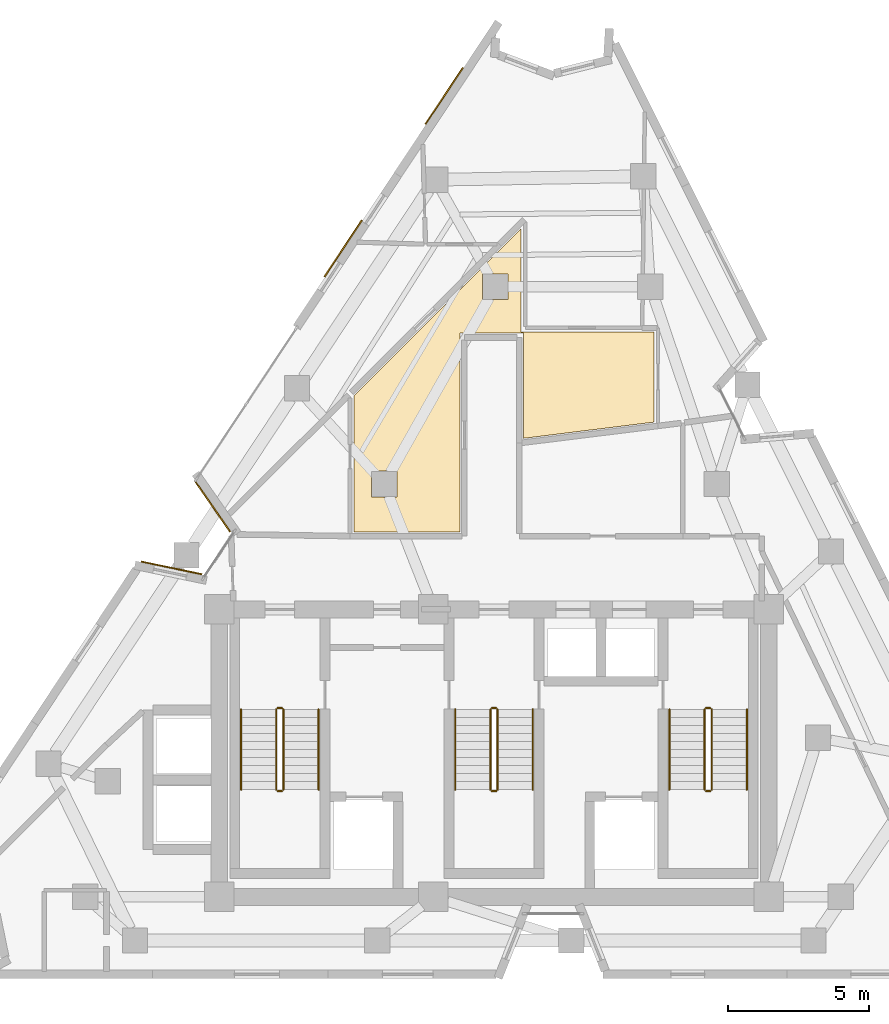
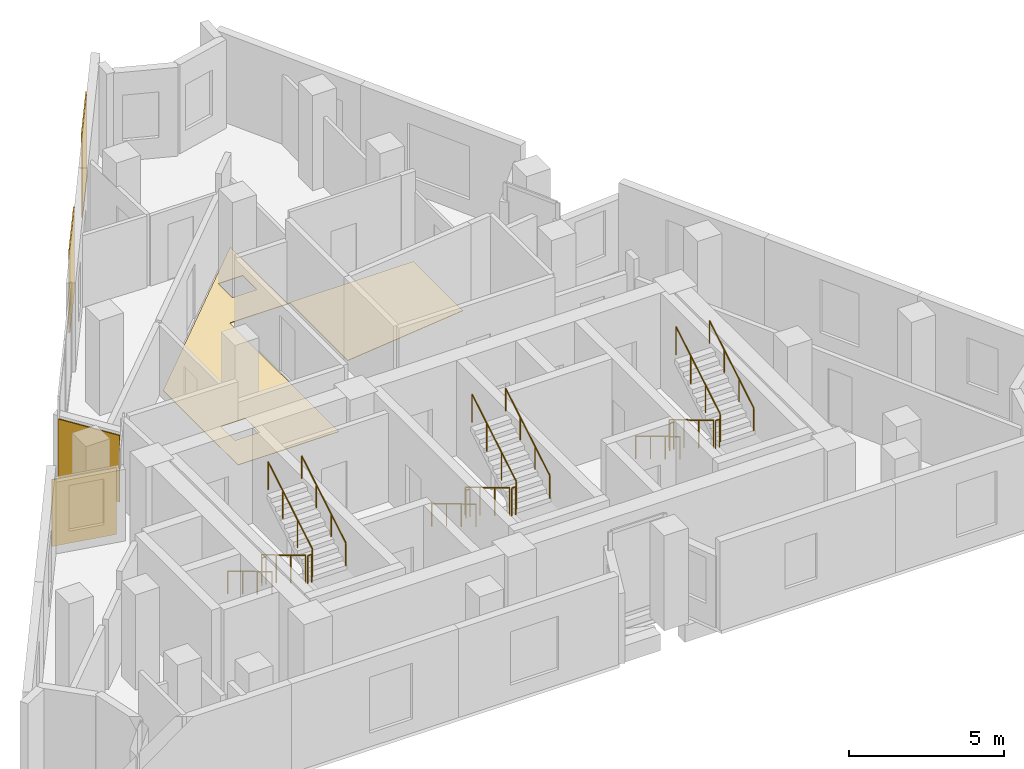
# One storey, part 8 of 8: 18 railings, 5 coverings.
"""IFC4 building model written with IfcOpenShell, lengths in metres."""

from ifc_helpers import new_model, si_unit, direction, frame, origin, origin_2d, place, context, subcontext, project, spatial, polyline, rectangle, circle, outline, extrude, material, layer, layer_set, type_object, element, save


model = new_model("IFC4")

# Units and contexts
model_context = context("Model", 3, precision=1e-05, world=origin(), true_north=direction((0.0, 1.0)))
body_context = subcontext(model_context, "Body", "Model", "MODEL_VIEW")
ifc_project = project(units=[si_unit("LENGTHUNIT", "METRE"), si_unit("AREAUNIT", "SQUARE_METRE"), si_unit("VOLUMEUNIT", "CUBIC_METRE"), si_unit("PLANEANGLEUNIT", "RADIAN"), si_unit("MASSUNIT", "GRAM", prefix="KILO")], contexts=[model_context])

# Site, building, storey
site_placement = place(None, origin())
site = spatial("IfcSite", under=ifc_project, at=site_placement, CompositionType="ELEMENT")
building_placement = place(site_placement, origin())
building = spatial("IfcBuilding", under=site, at=building_placement, Name="Almagre Mirador Tower", CompositionType="ELEMENT")
storey_placement = place(building_placement, frame((0.0, 0.0, 263.25)))
storey = spatial("IfcBuildingStorey", under=building, at=storey_placement, Name="L68", CompositionType="ELEMENT", Elevation=263.25)

# Coverings
ifc_material_1 = material(Name="Almagre terracotta architectural cladding", Category="masonry")
ifc_layer_1 = layer(ifc_material_1, 0.044921875)
ifc_layer_set_1 = layer_set([ifc_layer_1], Name="Almagre terracotta architectural cladding")
covering_type_1 = type_object("IfcCoveringType", Name="COV-CLAD-ALMAGRE", PredefinedType="CLADDING", material=ifc_layer_set_1)
for number, where, z_axis, x_axis, name in (
    (1, (25.86181640625, 16.220703125, 0.10009765625), (0.0, 0.0, 1.0), (0.978792371297, -0.204854811734, 0.0), "L68 almagre terracotta pier cladding"),
    (2, (27.310791015625, 18.409423828125, 0.10009765625), (0.0, 0.0, 1.0), (-0.570856876565, 0.821049588319, 0.0), "L68 almagre terracotta pier cladding"),
):
    element("IfcCovering", number, at=place(storey_placement, frame(where, z_axis=z_axis, x_axis=x_axis)), inside=storey, type_object=covering_type_1, Name=name, PredefinedType="CLADDING", context=body_context, shape_type="SweptSolid", body=[
        extrude(rectangle(XDim=2.194091796875, YDim=0.044921875, at=origin_2d()), origin(), (0.0, 0.0, 1.0), 2.625),
    ])
for number, where, z_axis, x_axis, name in (
    (3, (31.9482421875, 27.556640625, 0.10009765625), (0.0, 0.0, 1.0), (0.552126173795, 0.833760570074, 0.0), "L68 almagre terracotta pier cladding"),
    (4, (35.532958984375, 32.97021484375, 0.10009765625), (0.0, 0.0, 1.0), (0.552126173795, 0.833760570074, 0.0), "L68 almagre terracotta pier cladding"),
):
    element("IfcCovering", number, at=place(storey_placement, frame(where, z_axis=z_axis, x_axis=x_axis)), inside=storey, type_object=covering_type_1, Name=name, PredefinedType="CLADDING", context=body_context, shape_type="SweptSolid", body=[
        extrude(rectangle(XDim=2.39990234375, YDim=0.044921875, at=origin_2d()), origin(), (0.0, 0.0, 1.0), 3.300048828125),
    ])
ifc_material_2 = material(Name="Engineered white oak flooring", Category="wood")
ifc_layer_2 = layer(ifc_material_2, 0.01806640625)
ifc_layer_set_2 = layer_set([ifc_layer_2], Name="Engineered white oak flooring")
covering_type_2 = type_object("IfcCoveringType", Name="COV-FLR-OAK-18", PredefinedType="FLOORING", material=ifc_layer_set_2)
covering_placement = place(storey_placement, origin())
element("IfcCovering", 5, at=covering_placement, inside=storey, type_object=covering_type_2, Name="L68 Unit L68-G Living and Dining Room finish flooring", PredefinedType="FLOORING", context=body_context, shape_type="SweptSolid", body=[
    extrude(outline(polyline([(32.340087890625, 17.5), (32.340087890625, 22.337890625), (38.260009765625, 28.258056640625), (38.260009765625, 24.590087890625), (42.969970703125, 24.590087890625), (42.969970703125, 21.39306640625), (38.35009765625, 20.820068359375), (38.35009765625, 24.550048828125), (36.10009765625, 24.550048828125), (36.10009765625, 17.5), (32.340087890625, 17.5)]), holes=[polyline([(32.945068359375, 18.7451171875), (32.945068359375, 19.655029296875), (33.85498046875, 19.655029296875), (33.85498046875, 18.7451171875), (32.945068359375, 18.7451171875)]), polyline([(36.89501953125, 25.7451171875), (36.89501953125, 26.655029296875), (37.804931640625, 26.655029296875), (37.804931640625, 25.7451171875), (36.89501953125, 25.7451171875)])]), origin(), (0.0, 0.0, 1.0), 0.01806640625),
])

# Railings
ifc_material_3 = material(Name="Painted galvanized steel", Category="steel")
railing_type_1 = type_object("IfcRailingType", Name="RLG-GRD-1100", PredefinedType="GUARDRAIL", material=ifc_material_3)
railing_1_placement = place(storey_placement, frame((29.574951171875, 11.199951171875, 0.17041015625)))
element("IfcRailing", 6, at=railing_1_placement, inside=storey, type_object=railing_type_1, Name="L68 ST-1 stair guard 1", PredefinedType="GUARDRAIL", context=body_context, shape_type="SweptSolid", body=[
    extrude(circle(Radius=0.02392578125, at=origin_2d()), frame((0.0, 0.0, 1.09619140625), z_axis=(0.0, -0.858199205511, 0.513316786848), x_axis=(1.0, 0.0, 0.0)), (0.0, 0.0, 1.0), 3.32080078125),
    extrude(circle(Radius=0.02099609375, at=origin_2d()), origin(), (0.0, 0.0, 1.0), 1.072021484375),
    extrude(circle(Radius=0.02099609375, at=origin_2d()), frame((0.0, -0.949951171875, 0.568115234375)), (0.0, 0.0, 1.0), 1.072021484375),
    extrude(circle(Radius=0.02099609375, at=origin_2d()), frame((0.0, -1.89990234375, 1.136474609375)), (0.0, 0.0, 1.0), 1.072021484375),
    extrude(circle(Radius=0.02099609375, at=origin_2d()), frame((0.0, -2.849853515625, 1.70458984375)), (0.0, 0.0, 1.0), 1.072021484375),
])
railing_2_placement = place(storey_placement, frame((29.625, 8.300048828125, 1.875)))
element("IfcRailing", 7, at=railing_2_placement, inside=storey, type_object=railing_type_1, Name="L68 ST-1 stair guard 2", PredefinedType="GUARDRAIL", context=body_context, shape_type="SweptSolid", body=[
    extrude(circle(Radius=0.02392578125, at=origin_2d()), frame((0.0, 0.0, 1.09619140625), z_axis=(1.0, 0.0, 0.0), x_axis=(0.0, 1.0, 0.0)), (0.0, 0.0, 1.0), 0.14990234375),
    extrude(circle(Radius=0.02099609375, at=origin_2d()), origin(), (0.0, 0.0, 1.0), 1.072021484375),
    extrude(circle(Radius=0.02099609375, at=origin_2d()), frame((0.14990234375, 0.0, 0.0)), (0.0, 0.0, 1.0), 1.072021484375),
])
railing_3_placement = place(storey_placement, frame((29.824951171875, 8.35009765625, 2.04541015625)))
element("IfcRailing", 8, at=railing_3_placement, inside=storey, type_object=railing_type_1, Name="L68 ST-1 stair guard 3", PredefinedType="GUARDRAIL", context=body_context, shape_type="SweptSolid", body=[
    extrude(circle(Radius=0.02392578125, at=origin_2d()), frame((0.0, 0.0, 1.09619140625), z_axis=(0.0, 0.858199205511, 0.513316786848), x_axis=(-1.0, 0.0, 0.0)), (0.0, 0.0, 1.0), 3.32080078125),
    extrude(circle(Radius=0.02099609375, at=origin_2d()), origin(), (0.0, 0.0, 1.0), 1.072021484375),
    extrude(circle(Radius=0.02099609375, at=origin_2d()), frame((0.0, 0.949951171875, 0.568115234375)), (0.0, 0.0, 1.0), 1.072021484375),
    extrude(circle(Radius=0.02099609375, at=origin_2d()), frame((0.0, 1.89990234375, 1.136474609375)), (0.0, 0.0, 1.0), 1.072021484375),
    extrude(circle(Radius=0.02099609375, at=origin_2d()), frame((0.0, 2.849853515625, 1.70458984375)), (0.0, 0.0, 1.0), 1.072021484375),
])
railing_4_placement = place(storey_placement, frame((29.625, 11.25, 0.0)))
element("IfcRailing", 9, at=railing_4_placement, inside=storey, type_object=railing_type_1, Name="L68 ST-1 stair guard 4", PredefinedType="GUARDRAIL", context=body_context, shape_type="SweptSolid", body=[
    extrude(circle(Radius=0.02392578125, at=origin_2d()), frame((0.0, 0.0, 1.09619140625), z_axis=(1.0, 0.0, 0.0), x_axis=(0.0, 1.0, 0.0)), (0.0, 0.0, 1.0), 0.14990234375),
    extrude(circle(Radius=0.02099609375, at=origin_2d()), origin(), (0.0, 0.0, 1.0), 1.072021484375),
    extrude(circle(Radius=0.02099609375, at=origin_2d()), frame((0.14990234375, 0.0, 0.0)), (0.0, 0.0, 1.0), 1.072021484375),
])
railing_5_placement = place(storey_placement, frame((37.175048828125, 11.199951171875, 0.17041015625)))
element("IfcRailing", 10, at=railing_5_placement, inside=storey, type_object=railing_type_1, Name="L68 ST-2 stair guard 1", PredefinedType="GUARDRAIL", context=body_context, shape_type="SweptSolid", body=[
    extrude(circle(Radius=0.02392578125, at=origin_2d()), frame((0.0, 0.0, 1.09619140625), z_axis=(0.0, -0.858199205511, 0.513316786848), x_axis=(1.0, 0.0, 0.0)), (0.0, 0.0, 1.0), 3.32080078125),
    extrude(circle(Radius=0.02099609375, at=origin_2d()), origin(), (0.0, 0.0, 1.0), 1.072021484375),
    extrude(circle(Radius=0.02099609375, at=origin_2d()), frame((0.0, -0.949951171875, 0.568115234375)), (0.0, 0.0, 1.0), 1.072021484375),
    extrude(circle(Radius=0.02099609375, at=origin_2d()), frame((0.0, -1.89990234375, 1.136474609375)), (0.0, 0.0, 1.0), 1.072021484375),
    extrude(circle(Radius=0.02099609375, at=origin_2d()), frame((0.0, -2.849853515625, 1.70458984375)), (0.0, 0.0, 1.0), 1.072021484375),
])
railing_6_placement = place(storey_placement, frame((37.22509765625, 8.300048828125, 1.875)))
element("IfcRailing", 11, at=railing_6_placement, inside=storey, type_object=railing_type_1, Name="L68 ST-2 stair guard 2", PredefinedType="GUARDRAIL", context=body_context, shape_type="SweptSolid", body=[
    extrude(circle(Radius=0.02392578125, at=origin_2d()), frame((0.0, 0.0, 1.09619140625), z_axis=(1.0, 0.0, 0.0), x_axis=(0.0, 1.0, 0.0)), (0.0, 0.0, 1.0), 0.14990234375),
    extrude(circle(Radius=0.02099609375, at=origin_2d()), origin(), (0.0, 0.0, 1.0), 1.072021484375),
    extrude(circle(Radius=0.02099609375, at=origin_2d()), frame((0.14990234375, 0.0, 0.0)), (0.0, 0.0, 1.0), 1.072021484375),
])
railing_7_placement = place(storey_placement, frame((37.425048828125, 8.35009765625, 2.04541015625)))
element("IfcRailing", 12, at=railing_7_placement, inside=storey, type_object=railing_type_1, Name="L68 ST-2 stair guard 3", PredefinedType="GUARDRAIL", context=body_context, shape_type="SweptSolid", body=[
    extrude(circle(Radius=0.02392578125, at=origin_2d()), frame((0.0, 0.0, 1.09619140625), z_axis=(0.0, 0.858199205511, 0.513316786848), x_axis=(-1.0, 0.0, 0.0)), (0.0, 0.0, 1.0), 3.32080078125),
    extrude(circle(Radius=0.02099609375, at=origin_2d()), origin(), (0.0, 0.0, 1.0), 1.072021484375),
    extrude(circle(Radius=0.02099609375, at=origin_2d()), frame((0.0, 0.949951171875, 0.568115234375)), (0.0, 0.0, 1.0), 1.072021484375),
    extrude(circle(Radius=0.02099609375, at=origin_2d()), frame((0.0, 1.89990234375, 1.136474609375)), (0.0, 0.0, 1.0), 1.072021484375),
    extrude(circle(Radius=0.02099609375, at=origin_2d()), frame((0.0, 2.849853515625, 1.70458984375)), (0.0, 0.0, 1.0), 1.072021484375),
])
railing_8_placement = place(storey_placement, frame((37.22509765625, 11.25, 0.0)))
element("IfcRailing", 13, at=railing_8_placement, inside=storey, type_object=railing_type_1, Name="L68 ST-2 stair guard 4", PredefinedType="GUARDRAIL", context=body_context, shape_type="SweptSolid", body=[
    extrude(circle(Radius=0.02392578125, at=origin_2d()), frame((0.0, 0.0, 1.09619140625), z_axis=(1.0, 0.0, 0.0), x_axis=(0.0, 1.0, 0.0)), (0.0, 0.0, 1.0), 0.14990234375),
    extrude(circle(Radius=0.02099609375, at=origin_2d()), origin(), (0.0, 0.0, 1.0), 1.072021484375),
    extrude(circle(Radius=0.02099609375, at=origin_2d()), frame((0.14990234375, 0.0, 0.0)), (0.0, 0.0, 1.0), 1.072021484375),
])
railing_9_placement = place(storey_placement, frame((44.77490234375, 11.199951171875, 0.17041015625)))
element("IfcRailing", 14, at=railing_9_placement, inside=storey, type_object=railing_type_1, Name="L68 ST-3 stair guard 1", PredefinedType="GUARDRAIL", context=body_context, shape_type="SweptSolid", body=[
    extrude(circle(Radius=0.02392578125, at=origin_2d()), frame((0.0, 0.0, 1.09619140625), z_axis=(0.0, -0.858199205511, 0.513316786848), x_axis=(1.0, 0.0, 0.0)), (0.0, 0.0, 1.0), 3.32080078125),
    extrude(circle(Radius=0.02099609375, at=origin_2d()), origin(), (0.0, 0.0, 1.0), 1.072021484375),
    extrude(circle(Radius=0.02099609375, at=origin_2d()), frame((0.0, -0.949951171875, 0.568115234375)), (0.0, 0.0, 1.0), 1.072021484375),
    extrude(circle(Radius=0.02099609375, at=origin_2d()), frame((0.0, -1.89990234375, 1.136474609375)), (0.0, 0.0, 1.0), 1.072021484375),
    extrude(circle(Radius=0.02099609375, at=origin_2d()), frame((0.0, -2.849853515625, 1.70458984375)), (0.0, 0.0, 1.0), 1.072021484375),
])
railing_10_placement = place(storey_placement, frame((44.824951171875, 8.300048828125, 1.875)))
element("IfcRailing", 15, at=railing_10_placement, inside=storey, type_object=railing_type_1, Name="L68 ST-3 stair guard 2", PredefinedType="GUARDRAIL", context=body_context, shape_type="SweptSolid", body=[
    extrude(circle(Radius=0.02392578125, at=origin_2d()), frame((0.0, 0.0, 1.09619140625), z_axis=(1.0, 0.0, 0.0), x_axis=(0.0, 1.0, 0.0)), (0.0, 0.0, 1.0), 0.150146484375),
    extrude(circle(Radius=0.02099609375, at=origin_2d()), origin(), (0.0, 0.0, 1.0), 1.072021484375),
    extrude(circle(Radius=0.02099609375, at=origin_2d()), frame((0.150146484375, 0.0, 0.0)), (0.0, 0.0, 1.0), 1.072021484375),
])
railing_11_placement = place(storey_placement, frame((45.02490234375, 8.35009765625, 2.04541015625)))
element("IfcRailing", 16, at=railing_11_placement, inside=storey, type_object=railing_type_1, Name="L68 ST-3 stair guard 3", PredefinedType="GUARDRAIL", context=body_context, shape_type="SweptSolid", body=[
    extrude(circle(Radius=0.02392578125, at=origin_2d()), frame((0.0, 0.0, 1.09619140625), z_axis=(0.0, 0.858199205511, 0.513316786848), x_axis=(-1.0, 0.0, 0.0)), (0.0, 0.0, 1.0), 3.32080078125),
    extrude(circle(Radius=0.02099609375, at=origin_2d()), origin(), (0.0, 0.0, 1.0), 1.072021484375),
    extrude(circle(Radius=0.02099609375, at=origin_2d()), frame((0.0, 0.949951171875, 0.568115234375)), (0.0, 0.0, 1.0), 1.072021484375),
    extrude(circle(Radius=0.02099609375, at=origin_2d()), frame((0.0, 1.89990234375, 1.136474609375)), (0.0, 0.0, 1.0), 1.072021484375),
    extrude(circle(Radius=0.02099609375, at=origin_2d()), frame((0.0, 2.849853515625, 1.70458984375)), (0.0, 0.0, 1.0), 1.072021484375),
])
railing_12_placement = place(storey_placement, frame((44.824951171875, 11.25, 0.0)))
element("IfcRailing", 17, at=railing_12_placement, inside=storey, type_object=railing_type_1, Name="L68 ST-3 stair guard 4", PredefinedType="GUARDRAIL", context=body_context, shape_type="SweptSolid", body=[
    extrude(circle(Radius=0.02392578125, at=origin_2d()), frame((0.0, 0.0, 1.09619140625), z_axis=(1.0, 0.0, 0.0), x_axis=(0.0, 1.0, 0.0)), (0.0, 0.0, 1.0), 0.150146484375),
    extrude(circle(Radius=0.02099609375, at=origin_2d()), origin(), (0.0, 0.0, 1.0), 1.072021484375),
    extrude(circle(Radius=0.02099609375, at=origin_2d()), frame((0.150146484375, 0.0, 0.0)), (0.0, 0.0, 1.0), 1.072021484375),
])
ifc_material_4 = material(Name="Brushed stainless steel", Category="steel")
railing_type_2 = type_object("IfcRailingType", Name="RLG-HND-915", PredefinedType="HANDRAIL", material=ifc_material_4)
railing_13_placement = place(storey_placement, frame((28.324951171875, 11.199951171875, 0.17041015625)))
element("IfcRailing", 18, at=railing_13_placement, inside=storey, type_object=railing_type_2, Name="L68 ST-1 stair handrail 1", PredefinedType="HANDRAIL", context=body_context, shape_type="SweptSolid", body=[
    extrude(circle(Radius=0.02392578125, at=origin_2d()), frame((0.0, 0.0, 0.89111328125), z_axis=(0.0, -0.858199205511, 0.513316786848), x_axis=(1.0, 0.0, 0.0)), (0.0, 0.0, 1.0), 3.32080078125),
    extrude(circle(Radius=0.02099609375, at=origin_2d()), origin(), (0.0, 0.0, 1.0), 0.866943359375),
    extrude(circle(Radius=0.02099609375, at=origin_2d()), frame((0.0, -0.949951171875, 0.568115234375)), (0.0, 0.0, 1.0), 0.866943359375),
    extrude(circle(Radius=0.02099609375, at=origin_2d()), frame((0.0, -1.89990234375, 1.136474609375)), (0.0, 0.0, 1.0), 0.866943359375),
    extrude(circle(Radius=0.02099609375, at=origin_2d()), frame((0.0, -2.849853515625, 1.70458984375)), (0.0, 0.0, 1.0), 0.866943359375),
])
railing_14_placement = place(storey_placement, frame((31.074951171875, 8.35009765625, 2.04541015625)))
element("IfcRailing", 19, at=railing_14_placement, inside=storey, type_object=railing_type_2, Name="L68 ST-1 stair handrail 2", PredefinedType="HANDRAIL", context=body_context, shape_type="SweptSolid", body=[
    extrude(circle(Radius=0.02392578125, at=origin_2d()), frame((0.0, 0.0, 0.89111328125), z_axis=(0.0, 0.858199205511, 0.513316786848), x_axis=(-1.0, 0.0, 0.0)), (0.0, 0.0, 1.0), 3.32080078125),
    extrude(circle(Radius=0.02099609375, at=origin_2d()), origin(), (0.0, 0.0, 1.0), 0.866943359375),
    extrude(circle(Radius=0.02099609375, at=origin_2d()), frame((0.0, 0.949951171875, 0.568115234375)), (0.0, 0.0, 1.0), 0.866943359375),
    extrude(circle(Radius=0.02099609375, at=origin_2d()), frame((0.0, 1.89990234375, 1.136474609375)), (0.0, 0.0, 1.0), 0.866943359375),
    extrude(circle(Radius=0.02099609375, at=origin_2d()), frame((0.0, 2.849853515625, 1.70458984375)), (0.0, 0.0, 1.0), 0.866943359375),
])
railing_15_placement = place(storey_placement, frame((35.925048828125, 11.199951171875, 0.17041015625)))
element("IfcRailing", 20, at=railing_15_placement, inside=storey, type_object=railing_type_2, Name="L68 ST-2 stair handrail 1", PredefinedType="HANDRAIL", context=body_context, shape_type="SweptSolid", body=[
    extrude(circle(Radius=0.02392578125, at=origin_2d()), frame((0.0, 0.0, 0.89111328125), z_axis=(0.0, -0.858199205511, 0.513316786848), x_axis=(1.0, 0.0, 0.0)), (0.0, 0.0, 1.0), 3.32080078125),
    extrude(circle(Radius=0.02099609375, at=origin_2d()), origin(), (0.0, 0.0, 1.0), 0.866943359375),
    extrude(circle(Radius=0.02099609375, at=origin_2d()), frame((0.0, -0.949951171875, 0.568115234375)), (0.0, 0.0, 1.0), 0.866943359375),
    extrude(circle(Radius=0.02099609375, at=origin_2d()), frame((0.0, -1.89990234375, 1.136474609375)), (0.0, 0.0, 1.0), 0.866943359375),
    extrude(circle(Radius=0.02099609375, at=origin_2d()), frame((0.0, -2.849853515625, 1.70458984375)), (0.0, 0.0, 1.0), 0.866943359375),
])
railing_16_placement = place(storey_placement, frame((38.675048828125, 8.35009765625, 2.04541015625)))
element("IfcRailing", 21, at=railing_16_placement, inside=storey, type_object=railing_type_2, Name="L68 ST-2 stair handrail 2", PredefinedType="HANDRAIL", context=body_context, shape_type="SweptSolid", body=[
    extrude(circle(Radius=0.02392578125, at=origin_2d()), frame((0.0, 0.0, 0.89111328125), z_axis=(0.0, 0.858199205511, 0.513316786848), x_axis=(-1.0, 0.0, 0.0)), (0.0, 0.0, 1.0), 3.32080078125),
    extrude(circle(Radius=0.02099609375, at=origin_2d()), origin(), (0.0, 0.0, 1.0), 0.866943359375),
    extrude(circle(Radius=0.02099609375, at=origin_2d()), frame((0.0, 0.949951171875, 0.568115234375)), (0.0, 0.0, 1.0), 0.866943359375),
    extrude(circle(Radius=0.02099609375, at=origin_2d()), frame((0.0, 1.89990234375, 1.136474609375)), (0.0, 0.0, 1.0), 0.866943359375),
    extrude(circle(Radius=0.02099609375, at=origin_2d()), frame((0.0, 2.849853515625, 1.70458984375)), (0.0, 0.0, 1.0), 0.866943359375),
])
railing_17_placement = place(storey_placement, frame((43.52490234375, 11.199951171875, 0.17041015625)))
element("IfcRailing", 22, at=railing_17_placement, inside=storey, type_object=railing_type_2, Name="L68 ST-3 stair handrail 1", PredefinedType="HANDRAIL", context=body_context, shape_type="SweptSolid", body=[
    extrude(circle(Radius=0.02392578125, at=origin_2d()), frame((0.0, 0.0, 0.89111328125), z_axis=(0.0, -0.858199205511, 0.513316786848), x_axis=(1.0, 0.0, 0.0)), (0.0, 0.0, 1.0), 3.32080078125),
    extrude(circle(Radius=0.02099609375, at=origin_2d()), origin(), (0.0, 0.0, 1.0), 0.866943359375),
    extrude(circle(Radius=0.02099609375, at=origin_2d()), frame((0.0, -0.949951171875, 0.568115234375)), (0.0, 0.0, 1.0), 0.866943359375),
    extrude(circle(Radius=0.02099609375, at=origin_2d()), frame((0.0, -1.89990234375, 1.136474609375)), (0.0, 0.0, 1.0), 0.866943359375),
    extrude(circle(Radius=0.02099609375, at=origin_2d()), frame((0.0, -2.849853515625, 1.70458984375)), (0.0, 0.0, 1.0), 0.866943359375),
])
railing_18_placement = place(storey_placement, frame((46.27490234375, 8.35009765625, 2.04541015625)))
element("IfcRailing", 23, at=railing_18_placement, inside=storey, type_object=railing_type_2, Name="L68 ST-3 stair handrail 2", PredefinedType="HANDRAIL", context=body_context, shape_type="SweptSolid", body=[
    extrude(circle(Radius=0.02392578125, at=origin_2d()), frame((0.0, 0.0, 0.89111328125), z_axis=(0.0, 0.858199205511, 0.513316786848), x_axis=(-1.0, 0.0, 0.0)), (0.0, 0.0, 1.0), 3.32080078125),
    extrude(circle(Radius=0.02099609375, at=origin_2d()), origin(), (0.0, 0.0, 1.0), 0.866943359375),
    extrude(circle(Radius=0.02099609375, at=origin_2d()), frame((0.0, 0.949951171875, 0.568115234375)), (0.0, 0.0, 1.0), 0.866943359375),
    extrude(circle(Radius=0.02099609375, at=origin_2d()), frame((0.0, 1.89990234375, 1.136474609375)), (0.0, 0.0, 1.0), 0.866943359375),
    extrude(circle(Radius=0.02099609375, at=origin_2d()), frame((0.0, 2.849853515625, 1.70458984375)), (0.0, 0.0, 1.0), 0.866943359375),
])

save(model, "model.ifc")
